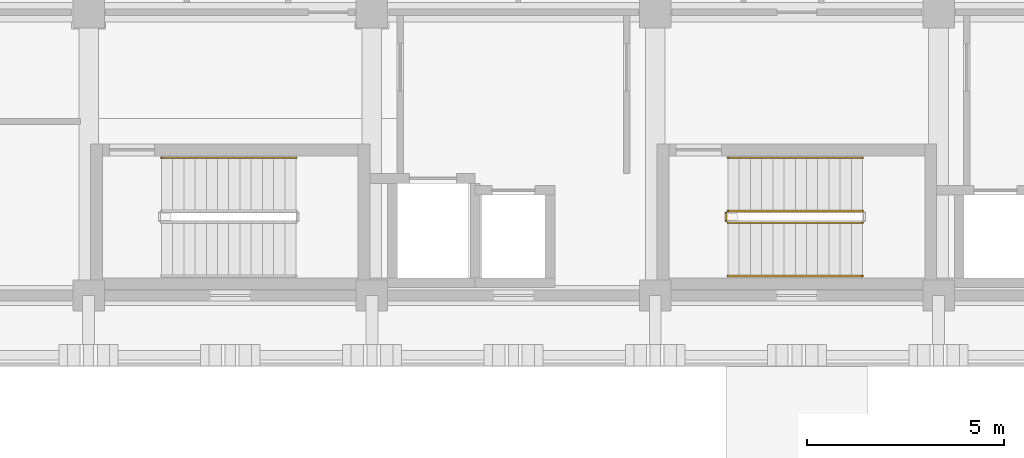
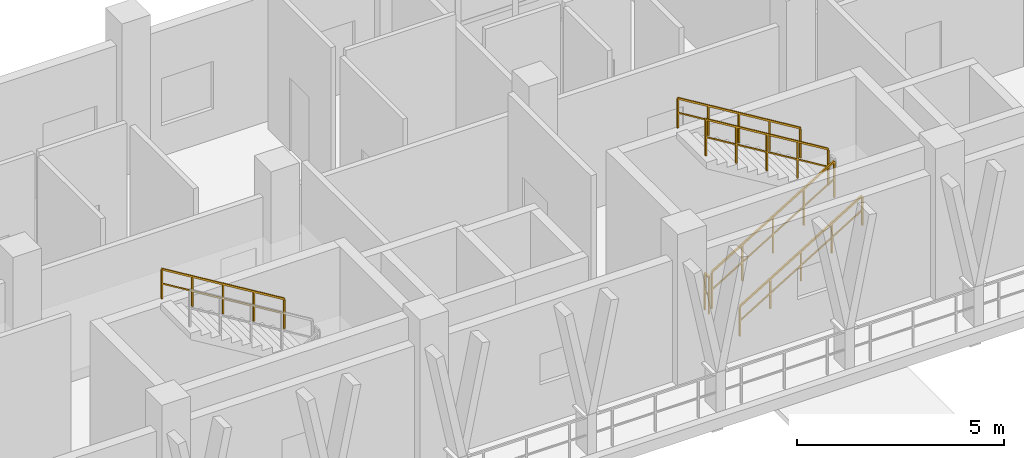
# One storey, part 100 of 110: 6 railings.
"""IFC4 building model written with IfcOpenShell, lengths in metres."""

from ifc_helpers import new_model, si_unit, direction, frame, origin, origin_2d, place, context, subcontext, project, spatial, rectangle, extrude, material, type_object, element, save


model = new_model("IFC4")

# Units and contexts
model_context = context("Model", 3, precision=1e-05, world=origin(), true_north=direction((0.0, 1.0)))
body_context = subcontext(model_context, "Body", "Model", "MODEL_VIEW")
ifc_project = project(units=[si_unit("LENGTHUNIT", "METRE"), si_unit("AREAUNIT", "SQUARE_METRE"), si_unit("VOLUMEUNIT", "CUBIC_METRE"), si_unit("PLANEANGLEUNIT", "RADIAN"), si_unit("MASSUNIT", "GRAM", prefix="KILO")], contexts=[model_context])

# Site, building, storey
site_placement = place(None, origin())
site = spatial("IfcSite", under=ifc_project, at=site_placement, CompositionType="ELEMENT")
building_placement = place(site_placement, origin())
building = spatial("IfcBuilding", under=site, at=building_placement, Name="Suanplinth Sawtooth Commons", CompositionType="ELEMENT")
storey_placement = place(building_placement, frame((0.0, 0.0, 4.5)))
storey = spatial("IfcBuildingStorey", under=building, at=storey_placement, Name="L01", CompositionType="ELEMENT", Elevation=4.5)

# Railings
ifc_material = material(Name="Stainless steel Grade 304", Category="steel")
railing_type_1 = type_object("IfcRailingType", Name="GR-04", PredefinedType="GUARDRAIL", material=ifc_material)
railing_1_placement = place(storey_placement, frame((59.449951171875, 109.85009765625, 0.173095703125)))
element("IfcRailing", 1, at=railing_1_placement, inside=storey, type_object=railing_type_1, Name="L01 ST-N2 Guard 1", PredefinedType="GUARDRAIL", context=body_context, shape_type="SweptSolid", body=[
    extrude(rectangle(XDim=0.048095703125, YDim=0.048095703125, at=origin_2d()), frame((0.0, 0.0, 1.076171875), z_axis=(0.854745945586, 0.0, 0.519046595696), x_axis=(0.0, 1.0, 0.0)), (0.0, 0.0, 1.0), 4.00146484375),
    extrude(rectangle(XDim=0.03369140625, YDim=0.03369140625, at=origin_2d()), frame((0.0, 0.0, 0.550048828125), z_axis=(0.854745945586, 0.0, 0.519046595696), x_axis=(0.0, 1.0, 0.0)), (0.0, 0.0, 1.0), 4.00146484375),
    extrude(rectangle(XDim=0.0419921875, YDim=0.0419921875, at=origin_2d()), origin(), (0.0, 0.0, 1.0), 1.052001953125),
    extrude(rectangle(XDim=0.0419921875, YDim=0.0419921875, at=origin_2d()), frame((0.85498046875, 0.0, 0.519287109375)), (0.0, 0.0, 1.0), 1.052001953125),
    extrude(rectangle(XDim=0.0419921875, YDim=0.0419921875, at=origin_2d()), frame((1.7099609375, 0.0, 1.03857421875)), (0.0, 0.0, 1.0), 1.052001953125),
    extrude(rectangle(XDim=0.0419921875, YDim=0.0419921875, at=origin_2d()), frame((2.565185546875, 0.0, 1.5576171875)), (0.0, 0.0, 1.0), 1.052001953125),
    extrude(rectangle(XDim=0.0419921875, YDim=0.0419921875, at=origin_2d()), frame((3.420166015625, 0.0, 2.076904296875)), (0.0, 0.0, 1.0), 1.052001953125),
])
railing_2_placement = place(storey_placement, frame((62.8701171875, 110.14990234375, 2.423095703125)))
element("IfcRailing", 2, at=railing_2_placement, inside=storey, type_object=railing_type_1, Name="L01 ST-N2 Guard 3", PredefinedType="GUARDRAIL", context=body_context, shape_type="SweptSolid", body=[
    extrude(rectangle(XDim=0.048095703125, YDim=0.048095703125, at=origin_2d()), frame((0.0, 0.0, 1.076171875), z_axis=(-0.854745945586, 0.0, 0.519046595696), x_axis=(0.0, -1.0, 0.0)), (0.0, 0.0, 1.0), 4.00146484375),
    extrude(rectangle(XDim=0.03369140625, YDim=0.03369140625, at=origin_2d()), frame((0.0, 0.0, 0.550048828125), z_axis=(-0.854745945586, 0.0, 0.519046595696), x_axis=(0.0, -1.0, 0.0)), (0.0, 0.0, 1.0), 4.00146484375),
    extrude(rectangle(XDim=0.0419921875, YDim=0.0419921875, at=origin_2d()), origin(), (0.0, 0.0, 1.0), 1.052001953125),
    extrude(rectangle(XDim=0.0419921875, YDim=0.0419921875, at=origin_2d()), frame((-0.85498046875, 0.0, 0.519287109375)), (0.0, 0.0, 1.0), 1.052001953125),
    extrude(rectangle(XDim=0.0419921875, YDim=0.0419921875, at=origin_2d()), frame((-1.7099609375, 0.0, 1.03857421875)), (0.0, 0.0, 1.0), 1.052001953125),
    extrude(rectangle(XDim=0.0419921875, YDim=0.0419921875, at=origin_2d()), frame((-2.565185546875, 0.0, 1.5576171875)), (0.0, 0.0, 1.0), 1.052001953125),
    extrude(rectangle(XDim=0.0419921875, YDim=0.0419921875, at=origin_2d()), frame((-3.420166015625, 0.0, 2.076904296875)), (0.0, 0.0, 1.0), 1.052001953125),
])
railing_3_placement = place(storey_placement, frame((59.39990234375, 109.89990234375, 0.0)))
element("IfcRailing", 3, at=railing_3_placement, inside=storey, type_object=railing_type_1, Name="L01 ST-N2 Guard 4", PredefinedType="GUARDRAIL", context=body_context, shape_type="SweptSolid", body=[
    extrude(rectangle(XDim=0.048095703125, YDim=0.048095703125, at=origin_2d()), frame((0.0, 0.0, 1.076171875), z_axis=(0.0, 1.0, 0.0), x_axis=(-1.0, 0.0, 0.0)), (0.0, 0.0, 1.0), 0.2001953125),
    extrude(rectangle(XDim=0.03369140625, YDim=0.03369140625, at=origin_2d()), frame((0.0, 0.0, 0.550048828125), z_axis=(0.0, 1.0, 0.0), x_axis=(-1.0, 0.0, 0.0)), (0.0, 0.0, 1.0), 0.2001953125),
    extrude(rectangle(XDim=0.0419921875, YDim=0.0419921875, at=origin_2d()), origin(), (0.0, 0.0, 1.0), 1.052001953125),
    extrude(rectangle(XDim=0.0419921875, YDim=0.0419921875, at=origin_2d()), frame((0.0, 0.2001953125, 0.0)), (0.0, 0.0, 1.0), 1.052001953125),
])
railing_type_2 = type_object("IfcRailingType", Name="HR-01", PredefinedType="HANDRAIL", material=ifc_material)
railing_4_placement = place(storey_placement, frame((48.469970703125, 111.5, 2.423095703125)))
element("IfcRailing", 4, at=railing_4_placement, inside=storey, type_object=railing_type_2, Name="L01 ST-N1 Handrail 2", PredefinedType="HANDRAIL", context=body_context, shape_type="SweptSolid", body=[
    extrude(rectangle(XDim=0.048095703125, YDim=0.048095703125, at=origin_2d()), frame((0.0, 0.0, 0.8759765625), z_axis=(-0.854729506542, 0.0, 0.519073665916), x_axis=(0.0, -1.0, 0.0)), (0.0, 0.0, 1.0), 4.001220703125),
    extrude(rectangle(XDim=0.03369140625, YDim=0.03369140625, at=origin_2d()), frame((0.0, 0.0, 0.449951171875), z_axis=(-0.854729506542, 0.0, 0.519073665916), x_axis=(0.0, -1.0, 0.0)), (0.0, 0.0, 1.0), 4.001220703125),
    extrude(rectangle(XDim=0.0419921875, YDim=0.0419921875, at=origin_2d()), origin(), (0.0, 0.0, 1.0), 0.851806640625),
    extrude(rectangle(XDim=0.0419921875, YDim=0.0419921875, at=origin_2d()), frame((-0.85498046875, 0.0, 0.519287109375)), (0.0, 0.0, 1.0), 0.851806640625),
    extrude(rectangle(XDim=0.0419921875, YDim=0.0419921875, at=origin_2d()), frame((-1.7099609375, 0.0, 1.03857421875)), (0.0, 0.0, 1.0), 0.851806640625),
    extrude(rectangle(XDim=0.0419921875, YDim=0.0419921875, at=origin_2d()), frame((-2.56494140625, 0.0, 1.5576171875)), (0.0, 0.0, 1.0), 0.851806640625),
    extrude(rectangle(XDim=0.0419921875, YDim=0.0419921875, at=origin_2d()), frame((-3.419921875, 0.0, 2.076904296875)), (0.0, 0.0, 1.0), 0.851806640625),
])
railing_5_placement = place(storey_placement, frame((59.449951171875, 108.5, 0.173095703125)))
element("IfcRailing", 5, at=railing_5_placement, inside=storey, type_object=railing_type_2, Name="L01 ST-N2 Handrail 1", PredefinedType="HANDRAIL", context=body_context, shape_type="SweptSolid", body=[
    extrude(rectangle(XDim=0.048095703125, YDim=0.048095703125, at=origin_2d()), frame((0.0, 0.0, 0.8759765625), z_axis=(0.854745945586, 0.0, 0.519046595696), x_axis=(0.0, 1.0, 0.0)), (0.0, 0.0, 1.0), 4.00146484375),
    extrude(rectangle(XDim=0.03369140625, YDim=0.03369140625, at=origin_2d()), frame((0.0, 0.0, 0.449951171875), z_axis=(0.854745945586, 0.0, 0.519046595696), x_axis=(0.0, 1.0, 0.0)), (0.0, 0.0, 1.0), 4.00146484375),
    extrude(rectangle(XDim=0.0419921875, YDim=0.0419921875, at=origin_2d()), origin(), (0.0, 0.0, 1.0), 0.851806640625),
    extrude(rectangle(XDim=0.0419921875, YDim=0.0419921875, at=origin_2d()), frame((0.85498046875, 0.0, 0.519287109375)), (0.0, 0.0, 1.0), 0.851806640625),
    extrude(rectangle(XDim=0.0419921875, YDim=0.0419921875, at=origin_2d()), frame((1.7099609375, 0.0, 1.03857421875)), (0.0, 0.0, 1.0), 0.851806640625),
    extrude(rectangle(XDim=0.0419921875, YDim=0.0419921875, at=origin_2d()), frame((2.565185546875, 0.0, 1.5576171875)), (0.0, 0.0, 1.0), 0.851806640625),
    extrude(rectangle(XDim=0.0419921875, YDim=0.0419921875, at=origin_2d()), frame((3.420166015625, 0.0, 2.076904296875)), (0.0, 0.0, 1.0), 0.851806640625),
])
railing_6_placement = place(storey_placement, frame((62.8701171875, 111.5, 2.423095703125)))
element("IfcRailing", 6, at=railing_6_placement, inside=storey, type_object=railing_type_2, Name="L01 ST-N2 Handrail 2", PredefinedType="HANDRAIL", context=body_context, shape_type="SweptSolid", body=[
    extrude(rectangle(XDim=0.048095703125, YDim=0.048095703125, at=origin_2d()), frame((0.0, 0.0, 0.8759765625), z_axis=(-0.854745945586, 0.0, 0.519046595696), x_axis=(0.0, -1.0, 0.0)), (0.0, 0.0, 1.0), 4.00146484375),
    extrude(rectangle(XDim=0.03369140625, YDim=0.03369140625, at=origin_2d()), frame((0.0, 0.0, 0.449951171875), z_axis=(-0.854745945586, 0.0, 0.519046595696), x_axis=(0.0, -1.0, 0.0)), (0.0, 0.0, 1.0), 4.00146484375),
    extrude(rectangle(XDim=0.0419921875, YDim=0.0419921875, at=origin_2d()), origin(), (0.0, 0.0, 1.0), 0.851806640625),
    extrude(rectangle(XDim=0.0419921875, YDim=0.0419921875, at=origin_2d()), frame((-0.85498046875, 0.0, 0.519287109375)), (0.0, 0.0, 1.0), 0.851806640625),
    extrude(rectangle(XDim=0.0419921875, YDim=0.0419921875, at=origin_2d()), frame((-1.7099609375, 0.0, 1.03857421875)), (0.0, 0.0, 1.0), 0.851806640625),
    extrude(rectangle(XDim=0.0419921875, YDim=0.0419921875, at=origin_2d()), frame((-2.565185546875, 0.0, 1.5576171875)), (0.0, 0.0, 1.0), 0.851806640625),
    extrude(rectangle(XDim=0.0419921875, YDim=0.0419921875, at=origin_2d()), frame((-3.420166015625, 0.0, 2.076904296875)), (0.0, 0.0, 1.0), 0.851806640625),
])

save(model, "model.ifc")
